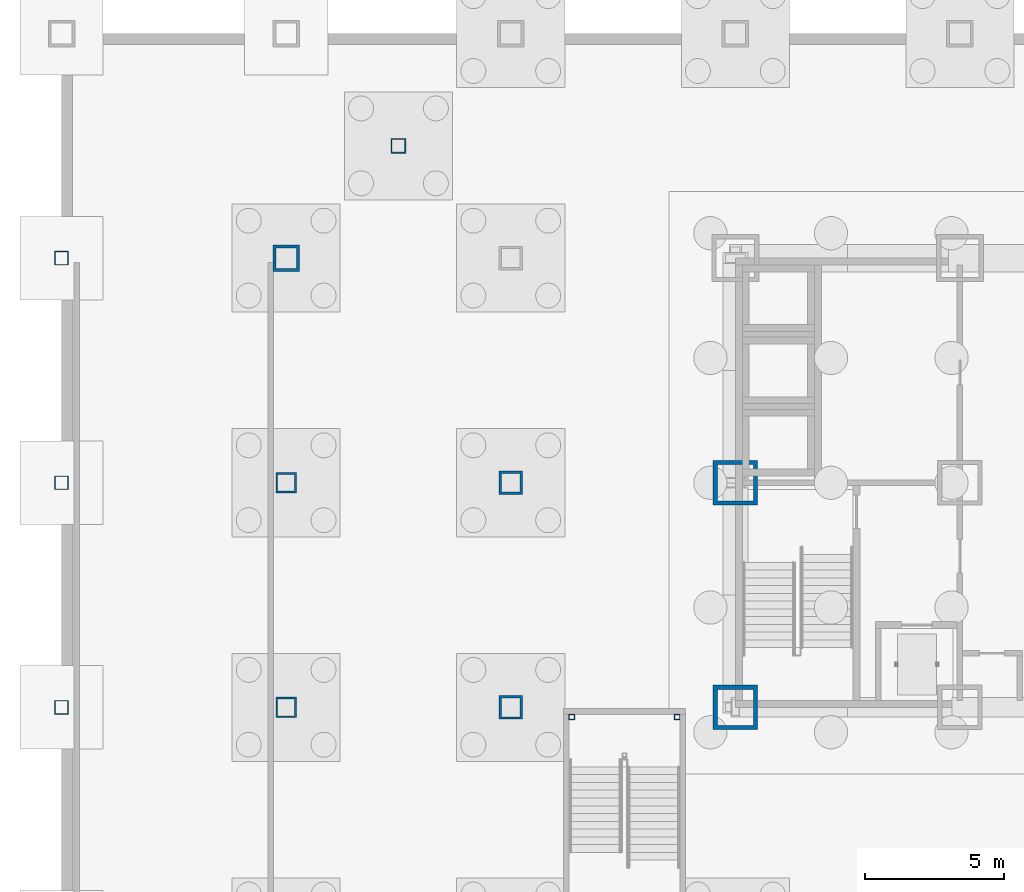
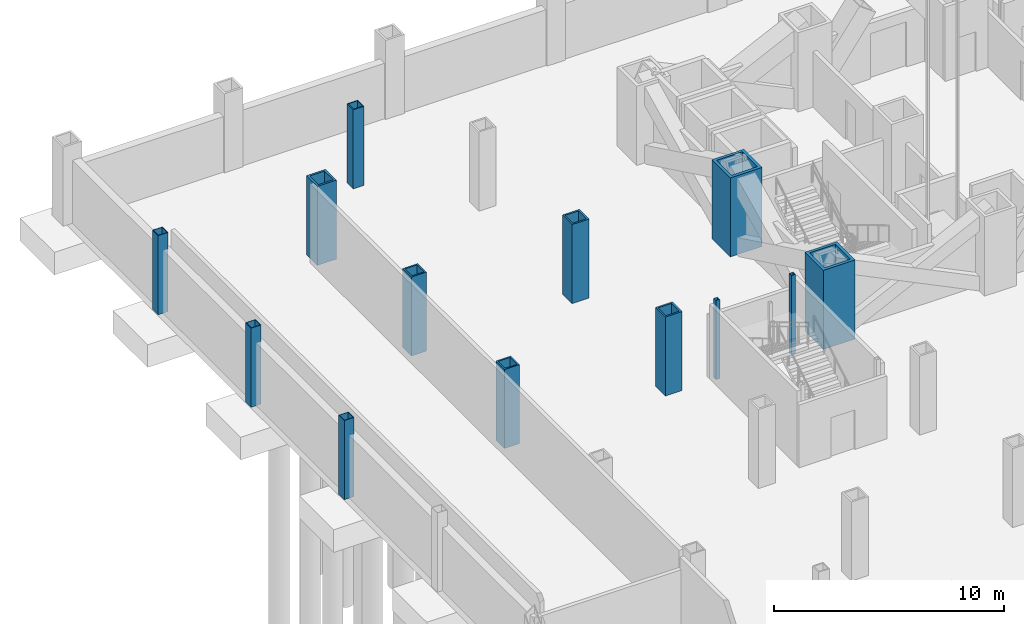
# One storey, part 7 of 17: 13 columns.
"""IFC4 building model written with IfcOpenShell, lengths in metres."""

from ifc_helpers import new_model, si_unit, direction, frame, origin, origin_2d, place, context, subcontext, project, spatial, hollow_rectangle, extrude, material, material_profile, profile_set, type_object, element, save


model = new_model("IFC4")

# Units and contexts
model_context = context("Model", 3, precision=1e-05, world=origin(), true_north=direction((0.0, 1.0)))
body_context = subcontext(model_context, "Body", "Model", "MODEL_VIEW")
ifc_project = project(units=[si_unit("LENGTHUNIT", "METRE"), si_unit("AREAUNIT", "SQUARE_METRE"), si_unit("VOLUMEUNIT", "CUBIC_METRE"), si_unit("PLANEANGLEUNIT", "RADIAN"), si_unit("MASSUNIT", "GRAM", prefix="KILO")], contexts=[model_context])

# Site, building, storey
site_placement = place(None, origin())
site = spatial("IfcSite", under=ifc_project, at=site_placement, CompositionType="ELEMENT")
building_placement = place(site_placement, origin())
building = spatial("IfcBuilding", under=site, at=building_placement, Name="Kopane Lantern Tower", CompositionType="ELEMENT")
storey_placement = place(building_placement, frame((0.0, 0.0, -8.39990234375)))
storey = spatial("IfcBuildingStorey", under=building, at=storey_placement, Name="L-02", CompositionType="ELEMENT", Elevation=-8.39990234375)

# Columns
ifc_material_1 = material(Name="Steel S355JR", Category="steel")
ifc_material_profile_1 = material_profile(ifc_material_1, hollow_rectangle(XDim=1.60009765625, YDim=1.60009765625, WallThickness=0.14990234375, at=origin_2d()), Name="BOX 1600x1600x150")
ifc_profile_set_1 = profile_set([ifc_material_profile_1], Name="Steel S355JR")
column_type_1 = type_object("IfcColumnType", Name="COLUMN BOX 1600x1600x150", PredefinedType="COLUMN", material=ifc_profile_set_1)
for number, where, z_axis, x_axis, name in (
    (1, (16.199951171875, 24.300048828125, 0.0), (0.0, 0.0, 1.0), (1.0, 0.0, 0.0), "Column 4/E L-02"),
    (2, (16.199951171875, 32.39990234375, 0.0), (0.0, 0.0, 1.0), (1.0, 0.0, 0.0), "Column 4/F L-02"),
):
    element("IfcColumn", number, at=place(storey_placement, frame(where, z_axis=z_axis, x_axis=x_axis)), inside=storey, type_object=column_type_1, Name=name, PredefinedType="COLUMN", context=body_context, shape_type="SweptSolid", body=[
        extrude(hollow_rectangle(XDim=1.60009765625, YDim=1.60009765625, WallThickness=0.14990234375, at=origin_2d()), origin(), (0.0, 0.0, 1.0), 4.199951171875),
    ])
ifc_material_2 = material(Name="Steel S355JR", Category="steel")
ifc_material_profile_2 = material_profile(ifc_material_2, hollow_rectangle(XDim=0.5, YDim=0.5, WallThickness=0.030029296875, at=origin_2d()), Name="BOX 500x500x30")
ifc_profile_set_2 = profile_set([ifc_material_profile_2], Name="Steel S355JR")
column_type_2 = type_object("IfcColumnType", Name="COLUMN BOX 500x500x30", PredefinedType="COLUMN", material=ifc_profile_set_2)
for number, where, z_axis, x_axis, name in (
    (3, (-8.10009765625, 24.300048828125, 0.0), (0.0, 0.0, 1.0), (1.0, 0.0, 0.0), "Column 1/E L-02"),
    (4, (-8.10009765625, 32.39990234375, 0.0), (0.0, 0.0, 1.0), (1.0, 0.0, 0.0), "Column 1/F L-02"),
    (5, (-8.10009765625, 40.5, 0.0), (0.0, 0.0, 1.0), (1.0, 0.0, 0.0), "Column 1/G L-02"),
):
    element("IfcColumn", number, at=place(storey_placement, frame(where, z_axis=z_axis, x_axis=x_axis)), inside=storey, type_object=column_type_2, Name=name, PredefinedType="COLUMN", context=body_context, shape_type="SweptSolid", body=[
        extrude(hollow_rectangle(XDim=0.5, YDim=0.5, WallThickness=0.030029296875, at=origin_2d()), origin(), (0.0, 0.0, 1.0), 4.199951171875),
    ])
ifc_material_3 = material(Name="Steel S355JR", Category="steel")
ifc_material_profile_3 = material_profile(ifc_material_3, hollow_rectangle(XDim=0.550048828125, YDim=0.550048828125, WallThickness=0.050048828125, at=origin_2d()), Name="BOX 550x550x50")
ifc_profile_set_3 = profile_set([ifc_material_profile_3], Name="Steel S355JR")
column_type_3 = type_object("IfcColumnType", Name="COLUMN BOX 550x550x50", PredefinedType="COLUMN", material=ifc_profile_set_3)
column_1_placement = place(storey_placement, frame((4.050048828125, 44.550048828125, 0.0), z_axis=(0.0, 0.0, 1.0), x_axis=(1.0, 0.0, 0.0)))
element("IfcColumn", 6, at=column_1_placement, inside=storey, type_object=column_type_3, Name="Column 4.05/44.55 L-02", PredefinedType="COLUMN", context=body_context, shape_type="SweptSolid", body=[
    extrude(hollow_rectangle(XDim=0.550048828125, YDim=0.550048828125, WallThickness=0.050048828125, at=origin_2d()), origin(), (0.0, 0.0, 1.0), 4.199951171875),
])
ifc_material_4 = material(Name="Steel S355JR", Category="steel")
ifc_material_profile_4 = material_profile(ifc_material_4, hollow_rectangle(XDim=0.75, YDim=0.75, WallThickness=0.070068359375, at=origin_2d()), Name="BOX 750x750x70")
ifc_profile_set_4 = profile_set([ifc_material_profile_4], Name="Steel S355JR")
column_type_4 = type_object("IfcColumnType", Name="COLUMN BOX 750x750x70", PredefinedType="COLUMN", material=ifc_profile_set_4)
for number, where, z_axis, x_axis, name in (
    (7, (0.0, 24.300048828125, 0.0), (0.0, 0.0, 1.0), (1.0, 0.0, 0.0), "Column 2/E L-02"),
    (8, (0.0, 32.39990234375, 0.0), (0.0, 0.0, 1.0), (1.0, 0.0, 0.0), "Column 2/F L-02"),
):
    element("IfcColumn", number, at=place(storey_placement, frame(where, z_axis=z_axis, x_axis=x_axis)), inside=storey, type_object=column_type_4, Name=name, PredefinedType="COLUMN", context=body_context, shape_type="SweptSolid", body=[
        extrude(hollow_rectangle(XDim=0.75, YDim=0.75, WallThickness=0.070068359375, at=origin_2d()), origin(), (0.0, 0.0, 1.0), 4.199951171875),
    ])
ifc_material_5 = material(Name="Steel S355JR", Category="steel")
ifc_material_profile_5 = material_profile(ifc_material_5, hollow_rectangle(XDim=0.85009765625, YDim=0.85009765625, WallThickness=0.0849609375, at=origin_2d()), Name="BOX 850x850x85")
ifc_profile_set_5 = profile_set([ifc_material_profile_5], Name="Steel S355JR")
column_type_5 = type_object("IfcColumnType", Name="COLUMN BOX 850x850x85", PredefinedType="COLUMN", material=ifc_profile_set_5)
for number, where, z_axis, x_axis, name in (
    (9, (8.10009765625, 24.300048828125, 0.0), (0.0, 0.0, 1.0), (1.0, 0.0, 0.0), "Column 3/E L-02"),
    (10, (8.10009765625, 32.39990234375, 0.0), (0.0, 0.0, 1.0), (1.0, 0.0, 0.0), "Column 3/F L-02"),
):
    element("IfcColumn", number, at=place(storey_placement, frame(where, z_axis=z_axis, x_axis=x_axis)), inside=storey, type_object=column_type_5, Name=name, PredefinedType="COLUMN", context=body_context, shape_type="SweptSolid", body=[
        extrude(hollow_rectangle(XDim=0.85009765625, YDim=0.85009765625, WallThickness=0.0849609375, at=origin_2d()), origin(), (0.0, 0.0, 1.0), 4.199951171875),
    ])
ifc_material_6 = material(Name="Steel S355JR", Category="steel")
ifc_material_profile_6 = material_profile(ifc_material_6, hollow_rectangle(XDim=0.949951171875, YDim=0.949951171875, WallThickness=0.10009765625, at=origin_2d()), Name="BOX 950x950x100")
ifc_profile_set_6 = profile_set([ifc_material_profile_6], Name="Steel S355JR")
column_type_6 = type_object("IfcColumnType", Name="COLUMN BOX 950x950x100", PredefinedType="COLUMN", material=ifc_profile_set_6)
column_2_placement = place(storey_placement, frame((0.0, 40.5, 0.0), z_axis=(0.0, 0.0, 1.0), x_axis=(1.0, 0.0, 0.0)))
element("IfcColumn", 11, at=column_2_placement, inside=storey, type_object=column_type_6, Name="Column 2/G L-02", PredefinedType="COLUMN", context=body_context, shape_type="SweptSolid", body=[
    extrude(hollow_rectangle(XDim=0.949951171875, YDim=0.949951171875, WallThickness=0.10009765625, at=origin_2d()), origin(), (0.0, 0.0, 1.0), 4.199951171875),
])
ifc_material_7 = material(Name="Steel S355JR", Category="steel")
ifc_material_profile_7 = material_profile(ifc_material_7, hollow_rectangle(XDim=0.199951171875, YDim=0.199951171875, WallThickness=0.011962890625, at=origin_2d()), Name="BOX 200x200x12")
ifc_profile_set_7 = profile_set([ifc_material_profile_7], Name="Steel S355JR")
column_type_7 = type_object("IfcColumnType", Name="STAIR POST BOX 200x200x12", PredefinedType="COLUMN", material=ifc_profile_set_7)
for number, where, z_axis, x_axis, name in (
    (12, (10.300048828125, 23.949951171875, 0.0), (0.0, 0.0, 1.0), (1.0, 0.0, 0.0), "Stair post ST3 NW L-02"),
    (13, (14.10009765625, 23.949951171875, 0.0), (0.0, 0.0, 1.0), (1.0, 0.0, 0.0), "Stair post ST3 NE L-02"),
):
    element("IfcColumn", number, at=place(storey_placement, frame(where, z_axis=z_axis, x_axis=x_axis)), inside=storey, type_object=column_type_7, Name=name, PredefinedType="COLUMN", context=body_context, shape_type="SweptSolid", body=[
        extrude(hollow_rectangle(XDim=0.199951171875, YDim=0.199951171875, WallThickness=0.011962890625, at=origin_2d()), origin(), (0.0, 0.0, 1.0), 4.199951171875),
    ])

save(model, "model.ifc")
